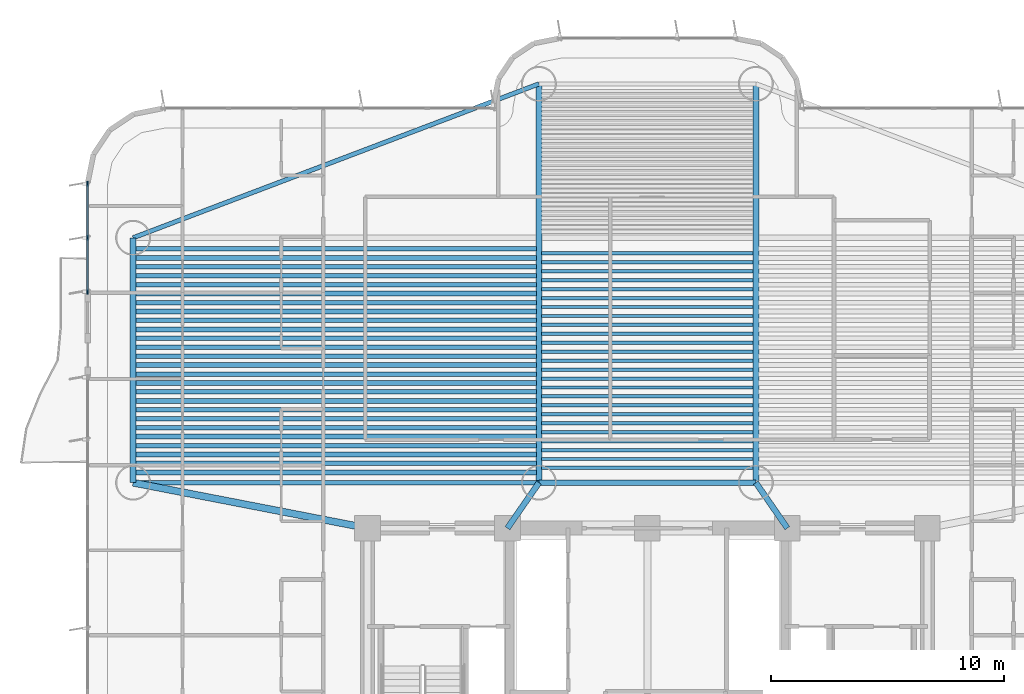
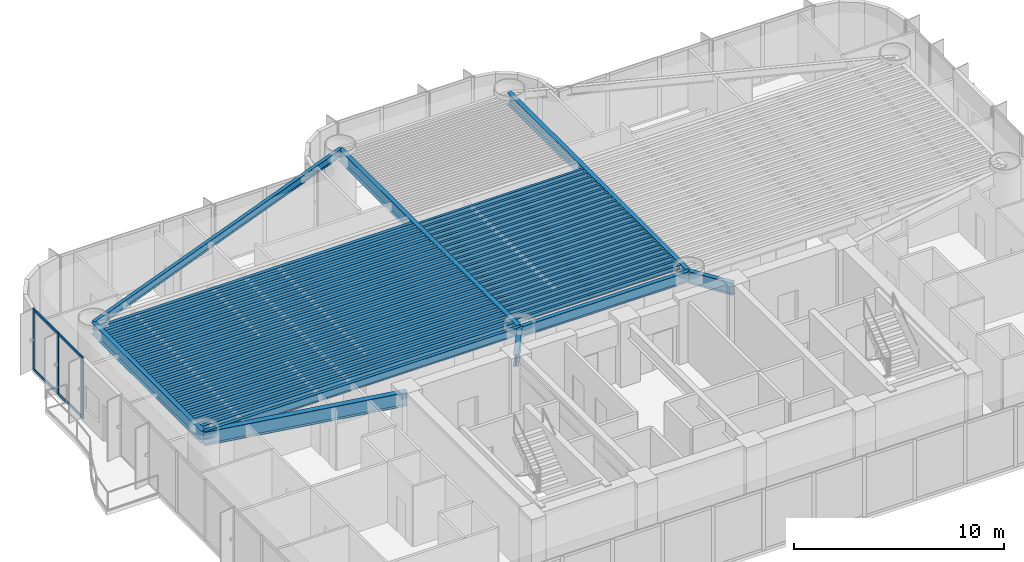
# One storey, part 3 of 19: 60 beams, 7 members, 1 element without a shape of its own.
"""IFC4 building model written with IfcOpenShell, lengths in metres."""

from ifc_helpers import new_model, si_unit, direction, frame, origin, origin_2d, place, context, subcontext, project, spatial, rectangle, i_section, extrude, source, transform, mapped, material, layer, layer_set, material_profile, profile_set, type_object, element, aggregate, save


model = new_model("IFC4")

# Units and contexts
model_context = context("Model", 3, precision=1e-05, world=origin(), true_north=direction((0.0, 1.0)))
body_context = subcontext(model_context, "Body", "Model", "MODEL_VIEW")
ifc_project = project(units=[si_unit("LENGTHUNIT", "METRE"), si_unit("AREAUNIT", "SQUARE_METRE"), si_unit("VOLUMEUNIT", "CUBIC_METRE"), si_unit("PLANEANGLEUNIT", "RADIAN"), si_unit("MASSUNIT", "GRAM", prefix="KILO")], contexts=[model_context])

# Site, building, storey
site_placement = place(None, origin())
site = spatial("IfcSite", under=ifc_project, at=site_placement, CompositionType="ELEMENT")
building_placement = place(site_placement, origin())
building = spatial("IfcBuilding", under=site, at=building_placement, Name="Brelvock Crest Care Tower", CompositionType="ELEMENT")
storey_placement = place(building_placement, frame((0.0, 0.0, 34.56005859375)))
storey = spatial("IfcBuildingStorey", under=building, at=storey_placement, Name="L08", CompositionType="ELEMENT", Elevation=34.56005859375)

# Beams
ifc_material_1 = material(Name="Steel Grade 350", Category="steel")
ifc_material_profile_1 = material_profile(ifc_material_1, i_section(OverallWidth=0.25, OverallDepth=0.699951171875, WebThickness=0.011962890625, FlangeThickness=0.02001953125, at=origin_2d()), Name="700WB150")
ifc_profile_set_1 = profile_set([ifc_material_profile_1], Name="Steel Grade 350")
beam_type_1 = type_object("IfcBeamType", Name="BM-G4", PredefinedType="BEAM", material=ifc_profile_set_1)
shared_shape_1 = source(origin(), body_context, "Body", "SweptSolid", [
    extrude(i_section(OverallWidth=0.25, OverallDepth=0.699951171875, WebThickness=0.011962890625, FlangeThickness=0.02001953125, at=origin_2d()), origin(), (0.0, 0.0, 1.0), 10.5),
])
beam_1_placement = place(storey_placement, frame((13.949951171875, 19.949951171875, 3.179931640625), z_axis=(0.0, 1.0, 0.0), x_axis=(-1.0, 0.0, 0.0)))
element("IfcBeam", 1, at=beam_1_placement, inside=storey, type_object=beam_type_1, Name="BM-TWR-L08-01", PredefinedType="BEAM", context=body_context, shape_type="MappedRepresentation", body=[
    mapped(shared_shape_1, transform((0.0, 0.0, 0.0), x_axis=(1.0, 0.0, 0.0), y_axis=(0.0, 1.0, 0.0), z_axis=(0.0, 0.0, 1.0), scale=1.0)),
])
ifc_material_profile_2 = material_profile(ifc_material_1, i_section(OverallWidth=0.19091796875, OverallDepth=0.4599609375, WebThickness=0.010009765625, FlangeThickness=0.01611328125, FilletRadius=0.011474609375, at=origin_2d()), Name="460UB82.1")
ifc_profile_set_2 = profile_set([ifc_material_profile_2], Name="Steel Grade 350")
beam_type_2 = type_object("IfcBeamType", Name="BM-SP2", PredefinedType="SPANDREL", material=ifc_profile_set_2)
shared_shape_2 = source(origin(), body_context, "Body", "SweptSolid", [
    extrude(i_section(OverallWidth=0.19091796875, OverallDepth=0.4599609375, WebThickness=0.010009765625, FlangeThickness=0.01611328125, FilletRadius=0.011474609375, at=origin_2d()), origin(), (0.0, 0.0, 1.0), 17.400146484375),
])
beam_2_placement = place(storey_placement, frame((13.949951171875, 19.949951171875, 3.300048828125), z_axis=(1.0, 0.0, 0.0), x_axis=(0.0, 1.0, 0.0)))
element("IfcBeam", 2, at=beam_2_placement, inside=storey, type_object=beam_type_2, Name="BM-TWR-L08-03", PredefinedType="SPANDREL", context=body_context, shape_type="MappedRepresentation", body=[
    mapped(shared_shape_2, transform((0.0, 0.0, 0.0), x_axis=(1.0, 0.0, 0.0), y_axis=(0.0, 1.0, 0.0), z_axis=(0.0, 0.0, 1.0), scale=1.0)),
])
ifc_material_profile_3 = material_profile(ifc_material_1, i_section(OverallWidth=0.22900390625, OverallDepth=0.612060546875, WebThickness=0.011962890625, FlangeThickness=0.01953125, FilletRadius=0.013916015625, at=origin_2d()), Name="610UB125")
ifc_profile_set_3 = profile_set([ifc_material_profile_3], Name="Steel Grade 350")
beam_type_3 = type_object("IfcBeamType", Name="BM-G1", PredefinedType="BEAM", material=ifc_profile_set_3)
shared_shape_3 = source(origin(), body_context, "Body", "SweptSolid", [
    extrude(i_section(OverallWidth=0.22900390625, OverallDepth=0.612060546875, WebThickness=0.011962890625, FlangeThickness=0.01953125, FilletRadius=0.013916015625, at=origin_2d()), origin(), (0.0, 0.0, 1.0), 9.2998046875),
])
beam_3_placement = place(storey_placement, frame((31.35009765625, 19.949951171875, 3.223876953125), z_axis=(1.0, 0.0, 0.0), x_axis=(0.0, 1.0, 0.0)))
element("IfcBeam", 3, at=beam_3_placement, inside=storey, type_object=beam_type_3, Name="BM-TWR-L08-05", PredefinedType="BEAM", context=body_context, shape_type="MappedRepresentation", body=[
    mapped(shared_shape_3, transform((0.0, 0.0, 0.0), x_axis=(1.0, 0.0, 0.0), y_axis=(0.0, 1.0, 0.0), z_axis=(0.0, 0.0, 1.0), scale=1.0)),
])
shared_shape_4 = source(origin(), body_context, "Body", "SweptSolid", [
    extrude(i_section(OverallWidth=0.19091796875, OverallDepth=0.4599609375, WebThickness=0.010009765625, FlangeThickness=0.01611328125, FilletRadius=0.011474609375, at=origin_2d()), origin(), (0.0, 0.0, 1.0), 18.60986328125),
])
beam_4_placement = place(storey_placement, frame((13.949951171875, 30.449951171875, 3.300048828125), z_axis=(0.934996776275, 0.3546562115, 0.0), x_axis=(-0.3546562115, 0.934996776275, 0.0)))
element("IfcBeam", 4, at=beam_4_placement, inside=storey, type_object=beam_type_2, Name="BM-TWR-L08-06", PredefinedType="SPANDREL", context=body_context, shape_type="MappedRepresentation", body=[
    mapped(shared_shape_4, transform((0.0, 0.0, 0.0), x_axis=(1.0, 0.0, 0.0), y_axis=(0.0, 1.0, 0.0), z_axis=(0.0, 0.0, 1.0), scale=1.0)),
])
shared_shape_5 = source(origin(), body_context, "Body", "SweptSolid", [
    extrude(i_section(OverallWidth=0.25, OverallDepth=0.699951171875, WebThickness=0.011962890625, FlangeThickness=0.02001953125, at=origin_2d()), origin(), (0.0, 0.0, 1.0), 17.10009765625),
])
for number, where, z_axis, x_axis, name in (
    (5, (31.35009765625, 19.949951171875, 3.179931640625), (0.0, 1.0, 0.0), (-1.0, 0.0, 0.0), "BM-TWR-L08-09"),
    (6, (40.64990234375, 19.949951171875, 3.179931640625), (0.0, 1.0, 0.0), (-1.0, 0.0, 0.0), "BM-TWR-L08-10"),
):
    element("IfcBeam", number, at=place(storey_placement, frame(where, z_axis=z_axis, x_axis=x_axis)), inside=storey, type_object=beam_type_1, Name=name, PredefinedType="BEAM", context=body_context, shape_type="MappedRepresentation", body=[
        mapped(shared_shape_5, transform((0.0, 0.0, 0.0), x_axis=(1.0, 0.0, 0.0), y_axis=(0.0, 1.0, 0.0), z_axis=(0.0, 0.0, 1.0), scale=1.0)),
    ])
shared_shape_6 = source(origin(), body_context, "Body", "SweptSolid", [
    extrude(i_section(OverallWidth=0.25, OverallDepth=0.699951171875, WebThickness=0.011962890625, FlangeThickness=0.02001953125, at=origin_2d()), origin(), (0.0, 0.0, 1.0), 2.371826171875),
])
for number, where, z_axis, x_axis, name in (
    (7, (30.0, 18.0, 3.179931640625), (0.569247447691, 0.8221662504, 0.0), (-0.8221662504, 0.569247447691, 0.0), "BM-THRW-L08"),
    (8, (42.0, 18.0, 3.179931640625), (-0.569247447691, 0.8221662504, 0.0), (-0.8221662504, -0.569247447691, 0.0), "BM-THRE-L08"),
):
    element("IfcBeam", number, at=place(storey_placement, frame(where, z_axis=z_axis, x_axis=x_axis)), inside=storey, type_object=beam_type_1, Name=name, PredefinedType="BEAM", context=body_context, shape_type="MappedRepresentation", body=[
        mapped(shared_shape_6, transform((0.0, 0.0, 0.0), x_axis=(1.0, 0.0, 0.0), y_axis=(0.0, 1.0, 0.0), z_axis=(0.0, 0.0, 1.0), scale=1.0)),
    ])
ifc_material_profile_4 = material_profile(ifc_material_1, i_section(OverallWidth=0.300048828125, OverallDepth=0.800048828125, WebThickness=0.013916015625, FlangeThickness=0.02197265625, at=origin_2d()), Name="800WB192")
ifc_profile_set_4 = profile_set([ifc_material_profile_4], Name="Steel Grade 350")
beam_type_4 = type_object("IfcBeamType", Name="BM-G5", PredefinedType="BEAM", material=ifc_profile_set_4)
shared_shape_7 = source(origin(), body_context, "Body", "SweptSolid", [
    extrude(i_section(OverallWidth=0.300048828125, OverallDepth=0.800048828125, WebThickness=0.013916015625, FlangeThickness=0.02197265625, at=origin_2d()), origin(), (0.0, 0.0, 1.0), 10.237548828125),
])
beam_5_placement = place(storey_placement, frame((24.0, 18.0, 3.1298828125), z_axis=(-0.981692632568, 0.190471979991, 0.0), x_axis=(-0.190471979991, -0.981692632568, 0.0)))
element("IfcBeam", 9, at=beam_5_placement, inside=storey, type_object=beam_type_4, Name="BM-THRO-W-L08", PredefinedType="BEAM", context=body_context, shape_type="MappedRepresentation", body=[
    mapped(shared_shape_7, transform((0.0, 0.0, 0.0), x_axis=(1.0, 0.0, 0.0), y_axis=(0.0, 1.0, 0.0), z_axis=(0.0, 0.0, 1.0), scale=1.0)),
])
ifc_material_profile_5 = material_profile(ifc_material_1, i_section(OverallWidth=0.208984375, OverallDepth=0.532958984375, WebThickness=0.01025390625, FlangeThickness=0.015625, FilletRadius=0.013916015625, at=origin_2d()), Name="530UB92.4")
ifc_profile_set_5 = profile_set([ifc_material_profile_5], Name="Steel Grade 350")
beam_type_5 = type_object("IfcBeamType", Name="BM-G2", PredefinedType="BEAM", material=ifc_profile_set_5)
shared_shape_8 = source(origin(), body_context, "Body", "SweptSolid", [
    extrude(i_section(OverallWidth=0.208984375, OverallDepth=0.532958984375, WebThickness=0.01025390625, FlangeThickness=0.015625, FilletRadius=0.013916015625, at=origin_2d()), origin(), (0.0, 0.0, 1.0), 17.170166015625),
])
for number, where, z_axis, x_axis, name in (
    (10, (14.06494140625, 20.39111328125, 3.263427734375), (1.0, 0.0, 0.0), (0.0, 1.0, 0.0), "BM-JW-L08-1"),
    (11, (14.06494140625, 21.157470703125, 3.263427734375), (1.0, 0.0, 0.0), (0.0, 1.0, 0.0), "BM-JW-L08-3"),
    (12, (14.06494140625, 21.924072265625, 3.263427734375), (1.0, 0.0, 0.0), (0.0, 1.0, 0.0), "BM-JW-L08-5"),
    (13, (14.06494140625, 22.6904296875, 3.263427734375), (1.0, 0.0, 0.0), (0.0, 1.0, 0.0), "BM-JW-L08-7"),
    (14, (14.06494140625, 23.45703125, 3.263427734375), (1.0, 0.0, 0.0), (0.0, 1.0, 0.0), "BM-JW-L08-9"),
    (15, (14.06494140625, 24.223388671875, 3.263427734375), (1.0, 0.0, 0.0), (0.0, 1.0, 0.0), "BM-JW-L08-11"),
    (16, (14.06494140625, 24.989990234375, 3.263427734375), (1.0, 0.0, 0.0), (0.0, 1.0, 0.0), "BM-JW-L08-13"),
    (17, (14.06494140625, 25.756591796875, 3.263427734375), (1.0, 0.0, 0.0), (0.0, 1.0, 0.0), "BM-JW-L08-15"),
    (18, (14.06494140625, 26.52294921875, 3.263427734375), (1.0, 0.0, 0.0), (0.0, 1.0, 0.0), "BM-JW-L08-17"),
    (19, (14.06494140625, 27.28955078125, 3.263427734375), (1.0, 0.0, 0.0), (0.0, 1.0, 0.0), "BM-JW-L08-19"),
    (20, (14.06494140625, 28.055908203125, 3.263427734375), (1.0, 0.0, 0.0), (0.0, 1.0, 0.0), "BM-JW-L08-21"),
    (21, (14.06494140625, 28.822509765625, 3.263427734375), (1.0, 0.0, 0.0), (0.0, 1.0, 0.0), "BM-JW-L08-23"),
    (22, (14.06494140625, 29.589111328125, 3.263427734375), (1.0, 0.0, 0.0), (0.0, 1.0, 0.0), "BM-JW-L08-25"),
):
    element("IfcBeam", number, at=place(storey_placement, frame(where, z_axis=z_axis, x_axis=x_axis)), inside=storey, type_object=beam_type_5, Name=name, PredefinedType="BEAM", context=body_context, shape_type="MappedRepresentation", body=[
        mapped(shared_shape_8, transform((0.0, 0.0, 0.0), x_axis=(1.0, 0.0, 0.0), y_axis=(0.0, 1.0, 0.0), z_axis=(0.0, 0.0, 1.0), scale=1.0)),
    ])
ifc_material_profile_6 = material_profile(ifc_material_1, i_section(OverallWidth=0.14599609375, OverallDepth=0.256103515625, WebThickness=0.00634765625, FlangeThickness=0.010986328125, FilletRadius=0.0087890625, at=origin_2d()), Name="250UB37.3")
ifc_profile_set_6 = profile_set([ifc_material_profile_6], Name="Steel Grade 350")
beam_type_6 = type_object("IfcBeamType", Name="BM-J3", PredefinedType="JOIST", material=ifc_profile_set_6)
shared_shape_9 = source(origin(), body_context, "Body", "SweptSolid", [
    extrude(i_section(OverallWidth=0.14599609375, OverallDepth=0.256103515625, WebThickness=0.00634765625, FlangeThickness=0.010986328125, FilletRadius=0.0087890625, at=origin_2d()), origin(), (0.0, 0.0, 1.0), 9.06982421875),
])
for number, where, z_axis, x_axis, name in (
    (23, (31.465087890625, 20.58251953125, 3.40185546875), (1.0, 0.0, 0.0), (0.0, 1.0, 0.0), "BM-JH-L08-1"),
    (24, (31.465087890625, 20.9658203125, 3.40185546875), (1.0, 0.0, 0.0), (0.0, 1.0, 0.0), "BM-JH-L08-2"),
    (25, (31.465087890625, 21.34912109375, 3.40185546875), (1.0, 0.0, 0.0), (0.0, 1.0, 0.0), "BM-JH-L08-3"),
    (26, (31.465087890625, 21.732421875, 3.40185546875), (1.0, 0.0, 0.0), (0.0, 1.0, 0.0), "BM-JH-L08-4"),
    (27, (31.465087890625, 22.115478515625, 3.40185546875), (1.0, 0.0, 0.0), (0.0, 1.0, 0.0), "BM-JH-L08-5"),
    (28, (31.465087890625, 22.498779296875, 3.40185546875), (1.0, 0.0, 0.0), (0.0, 1.0, 0.0), "BM-JH-L08-6"),
    (29, (31.465087890625, 22.882080078125, 3.40185546875), (1.0, 0.0, 0.0), (0.0, 1.0, 0.0), "BM-JH-L08-7"),
    (30, (31.465087890625, 23.265380859375, 3.40185546875), (1.0, 0.0, 0.0), (0.0, 1.0, 0.0), "BM-JH-L08-8"),
    (31, (31.465087890625, 23.648681640625, 3.40185546875), (1.0, 0.0, 0.0), (0.0, 1.0, 0.0), "BM-JH-L08-9"),
    (32, (31.465087890625, 24.03173828125, 3.40185546875), (1.0, 0.0, 0.0), (0.0, 1.0, 0.0), "BM-JH-L08-10"),
    (33, (31.465087890625, 24.4150390625, 3.40185546875), (1.0, 0.0, 0.0), (0.0, 1.0, 0.0), "BM-JH-L08-11"),
    (34, (31.465087890625, 24.79833984375, 3.40185546875), (1.0, 0.0, 0.0), (0.0, 1.0, 0.0), "BM-JH-L08-12"),
    (35, (31.465087890625, 25.181640625, 3.40185546875), (1.0, 0.0, 0.0), (0.0, 1.0, 0.0), "BM-JH-L08-13"),
    (36, (31.465087890625, 25.564697265625, 3.40185546875), (1.0, 0.0, 0.0), (0.0, 1.0, 0.0), "BM-JH-L08-14"),
    (37, (31.465087890625, 25.947998046875, 3.40185546875), (1.0, 0.0, 0.0), (0.0, 1.0, 0.0), "BM-JH-L08-15"),
    (38, (31.465087890625, 26.331298828125, 3.40185546875), (1.0, 0.0, 0.0), (0.0, 1.0, 0.0), "BM-JH-L08-16"),
    (39, (31.465087890625, 26.714599609375, 3.40185546875), (1.0, 0.0, 0.0), (0.0, 1.0, 0.0), "BM-JH-L08-17"),
    (40, (31.465087890625, 27.097900390625, 3.40185546875), (1.0, 0.0, 0.0), (0.0, 1.0, 0.0), "BM-JH-L08-18"),
    (41, (31.465087890625, 27.481201171875, 3.40185546875), (1.0, 0.0, 0.0), (0.0, 1.0, 0.0), "BM-JH-L08-19"),
    (42, (31.465087890625, 27.864501953125, 3.40185546875), (1.0, 0.0, 0.0), (0.0, 1.0, 0.0), "BM-JH-L08-20"),
    (43, (31.465087890625, 28.24755859375, 3.40185546875), (1.0, 0.0, 0.0), (0.0, 1.0, 0.0), "BM-JH-L08-21"),
    (44, (31.465087890625, 28.630859375, 3.40185546875), (1.0, 0.0, 0.0), (0.0, 1.0, 0.0), "BM-JH-L08-22"),
    (45, (31.465087890625, 29.01416015625, 3.40185546875), (1.0, 0.0, 0.0), (0.0, 1.0, 0.0), "BM-JH-L08-23"),
    (46, (31.465087890625, 29.397216796875, 3.40185546875), (1.0, 0.0, 0.0), (0.0, 1.0, 0.0), "BM-JH-L08-24"),
    (47, (31.465087890625, 29.780517578125, 3.40185546875), (1.0, 0.0, 0.0), (0.0, 1.0, 0.0), "BM-JH-L08-25"),
):
    element("IfcBeam", number, at=place(storey_placement, frame(where, z_axis=z_axis, x_axis=x_axis)), inside=storey, type_object=beam_type_6, Name=name, PredefinedType="JOIST", context=body_context, shape_type="MappedRepresentation", body=[
        mapped(shared_shape_9, transform((0.0, 0.0, 0.0), x_axis=(1.0, 0.0, 0.0), y_axis=(0.0, 1.0, 0.0), z_axis=(0.0, 0.0, 1.0), scale=1.0)),
    ])
ifc_material_profile_7 = material_profile(ifc_material_1, i_section(OverallWidth=0.19091796875, OverallDepth=0.4599609375, WebThickness=0.010009765625, FlangeThickness=0.01611328125, FilletRadius=0.011474609375, at=origin_2d()), Name="460UB82.1")
ifc_profile_set_7 = profile_set([ifc_material_profile_7], Name="Steel Grade 350")
beam_type_7 = type_object("IfcBeamType", Name="BM-G3", PredefinedType="BEAM", material=ifc_profile_set_7)
shared_shape_10 = source(origin(), body_context, "Body", "SweptSolid", [
    extrude(i_section(OverallWidth=0.19091796875, OverallDepth=0.4599609375, WebThickness=0.010009765625, FlangeThickness=0.01611328125, FilletRadius=0.011474609375, at=origin_2d()), origin(), (0.0, 0.0, 1.0), 17.170166015625),
])
for number, where, z_axis, x_axis, name in (
    (48, (14.06494140625, 20.774169921875, 3.300048828125), (1.0, 0.0, 0.0), (0.0, 1.0, 0.0), "BM-JW-L08-2"),
    (49, (14.06494140625, 21.540771484375, 3.300048828125), (1.0, 0.0, 0.0), (0.0, 1.0, 0.0), "BM-JW-L08-4"),
    (50, (14.06494140625, 22.30712890625, 3.300048828125), (1.0, 0.0, 0.0), (0.0, 1.0, 0.0), "BM-JW-L08-6"),
    (51, (14.06494140625, 23.07373046875, 3.300048828125), (1.0, 0.0, 0.0), (0.0, 1.0, 0.0), "BM-JW-L08-8"),
    (52, (14.06494140625, 23.840087890625, 3.300048828125), (1.0, 0.0, 0.0), (0.0, 1.0, 0.0), "BM-JW-L08-10"),
    (53, (14.06494140625, 24.606689453125, 3.300048828125), (1.0, 0.0, 0.0), (0.0, 1.0, 0.0), "BM-JW-L08-12"),
    (54, (14.06494140625, 25.373291015625, 3.300048828125), (1.0, 0.0, 0.0), (0.0, 1.0, 0.0), "BM-JW-L08-14"),
    (55, (14.06494140625, 26.1396484375, 3.300048828125), (1.0, 0.0, 0.0), (0.0, 1.0, 0.0), "BM-JW-L08-16"),
    (56, (14.06494140625, 26.90625, 3.300048828125), (1.0, 0.0, 0.0), (0.0, 1.0, 0.0), "BM-JW-L08-18"),
    (57, (14.06494140625, 27.6728515625, 3.300048828125), (1.0, 0.0, 0.0), (0.0, 1.0, 0.0), "BM-JW-L08-20"),
    (58, (14.06494140625, 28.439208984375, 3.300048828125), (1.0, 0.0, 0.0), (0.0, 1.0, 0.0), "BM-JW-L08-22"),
    (59, (14.06494140625, 29.205810546875, 3.300048828125), (1.0, 0.0, 0.0), (0.0, 1.0, 0.0), "BM-JW-L08-24"),
    (60, (14.06494140625, 29.97216796875, 3.300048828125), (1.0, 0.0, 0.0), (0.0, 1.0, 0.0), "BM-JW-L08-26"),
):
    element("IfcBeam", number, at=place(storey_placement, frame(where, z_axis=z_axis, x_axis=x_axis)), inside=storey, type_object=beam_type_7, Name=name, PredefinedType="BEAM", context=body_context, shape_type="MappedRepresentation", body=[
        mapped(shared_shape_10, transform((0.0, 0.0, 0.0), x_axis=(1.0, 0.0, 0.0), y_axis=(0.0, 1.0, 0.0), z_axis=(0.0, 0.0, 1.0), scale=1.0)),
    ])

# Curtain wall, members
ifc_material_2 = material(Name="Dark Glass Double Glazed Low-E", Category="glass")
ifc_layer = layer(ifc_material_2, 0.195068359375, Name="CWS-2")
ifc_layer_set = layer_set([ifc_layer], Name="Dark Glass Double Glazed Low-E")
curtain_wall_type = type_object("IfcCurtainWallType", Name="CWS-2", PredefinedType="NOTDEFINED", material=ifc_layer_set)
curtain_wall_placement = place(storey_placement, origin())
curtain_wall = element("IfcCurtainWall", 61, at=curtain_wall_placement, inside=storey, type_object=curtain_wall_type, Name="L08 Curtain Wall E13B", PredefinedType="NOTDEFINED")
ifc_material_3 = material(Name="Aluminium 6063-T6", Category="aluminium")
ifc_material_profile_8 = material_profile(ifc_material_3, rectangle(XDim=0.06494140625, YDim=0.199951171875, at=origin_2d()), Name="ALU65x200")
ifc_profile_set_8 = profile_set([ifc_material_profile_8], Name="Aluminium 6063-T6")
member_type_1 = type_object("IfcMemberType", Name="CWM-1", PredefinedType="MULLION", material=ifc_profile_set_8)
shared_shape_11 = source(origin(), body_context, "Body", "SweptSolid", [
    extrude(rectangle(XDim=0.06494140625, YDim=0.199951171875, at=origin_2d()), origin(), (0.0, 0.0, 1.0), 3.530029296875),
])
member_1_placement = place(storey_placement, frame((12.0, 28.132568359375, 0.0), z_axis=(0.0, 0.0, 1.0), x_axis=(-1.0, 0.0, 0.0)))
member_1 = element("IfcMember", 62, at=member_1_placement, type_object=member_type_1, Name="CW-2 mullion 1", PredefinedType="MULLION", context=body_context, shape_type="MappedRepresentation", body=[
    mapped(shared_shape_11, transform((0.0, 0.0, 0.0), x_axis=(1.0, 0.0, 0.0), y_axis=(0.0, 1.0, 0.0), z_axis=(0.0, 0.0, 1.0), scale=1.0)),
])
member_2_placement = place(storey_placement, frame((12.0, 30.449951171875, 0.0), z_axis=(0.0, 0.0, 1.0), x_axis=(-1.0, 0.0, 0.0)))
member_2 = element("IfcMember", 63, at=member_2_placement, type_object=member_type_1, Name="CW-2 mullion 2", PredefinedType="MULLION", context=body_context, shape_type="MappedRepresentation", body=[
    mapped(shared_shape_11, transform((0.0, 0.0, 0.0), x_axis=(1.0, 0.0, 0.0), y_axis=(0.0, 1.0, 0.0), z_axis=(0.0, 0.0, 1.0), scale=1.0)),
])
member_3_placement = place(storey_placement, frame((12.0, 32.767578125, 0.0), z_axis=(0.0, 0.0, 1.0), x_axis=(-1.0, 0.0, 0.0)))
member_3 = element("IfcMember", 64, at=member_3_placement, type_object=member_type_1, Name="CW-2 mullion 3", PredefinedType="MULLION", context=body_context, shape_type="MappedRepresentation", body=[
    mapped(shared_shape_11, transform((0.0, 0.0, 0.0), x_axis=(1.0, 0.0, 0.0), y_axis=(0.0, 1.0, 0.0), z_axis=(0.0, 0.0, 1.0), scale=1.0)),
])
ifc_material_profile_9 = material_profile(ifc_material_3, rectangle(XDim=0.06494140625, YDim=0.14990234375, at=origin_2d()), Name="ALU65x150")
ifc_profile_set_9 = profile_set([ifc_material_profile_9], Name="Aluminium 6063-T6")
member_type_2 = type_object("IfcMemberType", Name="CWT-1", PredefinedType="USERDEFINED", material=ifc_profile_set_9)
shared_shape_12 = source(origin(), body_context, "Body", "SweptSolid", [
    extrude(rectangle(XDim=0.06494140625, YDim=0.14990234375, at=origin_2d()), origin(), (0.0, 0.0, 1.0), 2.252685546875),
])
member_4_placement = place(storey_placement, frame((12.0, 30.482421875, 0.032470703125), z_axis=(0.0, 1.0, 0.0), x_axis=(-1.0, 0.0, 0.0)))
member_4 = element("IfcMember", 65, at=member_4_placement, type_object=member_type_2, Name="CW-2 transom 2.1", ObjectType="TRANSOM", PredefinedType="USERDEFINED", context=body_context, shape_type="MappedRepresentation", body=[
    mapped(shared_shape_12, transform((0.0, 0.0, 0.0), x_axis=(1.0, 0.0, 0.0), y_axis=(0.0, 1.0, 0.0), z_axis=(0.0, 0.0, 1.0), scale=1.0)),
])
member_5_placement = place(storey_placement, frame((12.0, 30.482421875, 3.49755859375), z_axis=(0.0, 1.0, 0.0), x_axis=(-1.0, 0.0, 0.0)))
member_5 = element("IfcMember", 66, at=member_5_placement, type_object=member_type_2, Name="CW-2 transom 2.2", ObjectType="TRANSOM", PredefinedType="USERDEFINED", context=body_context, shape_type="MappedRepresentation", body=[
    mapped(shared_shape_12, transform((0.0, 0.0, 0.0), x_axis=(1.0, 0.0, 0.0), y_axis=(0.0, 1.0, 0.0), z_axis=(0.0, 0.0, 1.0), scale=1.0)),
])
shared_shape_13 = source(origin(), body_context, "Body", "SweptSolid", [
    extrude(rectangle(XDim=0.06494140625, YDim=0.14990234375, at=origin_2d()), origin(), (0.0, 0.0, 1.0), 2.25244140625),
])
member_6_placement = place(storey_placement, frame((12.0, 28.1650390625, 0.032470703125), z_axis=(0.0, 1.0, 0.0), x_axis=(-1.0, 0.0, 0.0)))
member_6 = element("IfcMember", 67, at=member_6_placement, type_object=member_type_2, Name="CW-2 transom 1.1", ObjectType="TRANSOM", PredefinedType="USERDEFINED", context=body_context, shape_type="MappedRepresentation", body=[
    mapped(shared_shape_13, transform((0.0, 0.0, 0.0), x_axis=(1.0, 0.0, 0.0), y_axis=(0.0, 1.0, 0.0), z_axis=(0.0, 0.0, 1.0), scale=1.0)),
])
member_7_placement = place(storey_placement, frame((12.0, 28.1650390625, 3.49755859375), z_axis=(0.0, 1.0, 0.0), x_axis=(-1.0, 0.0, 0.0)))
member_7 = element("IfcMember", 68, at=member_7_placement, type_object=member_type_2, Name="CW-2 transom 1.2", ObjectType="TRANSOM", PredefinedType="USERDEFINED", context=body_context, shape_type="MappedRepresentation", body=[
    mapped(shared_shape_13, transform((0.0, 0.0, 0.0), x_axis=(1.0, 0.0, 0.0), y_axis=(0.0, 1.0, 0.0), z_axis=(0.0, 0.0, 1.0), scale=1.0)),
])
aggregate(curtain_wall, [member_1, member_2, member_3, member_6, member_7, member_4, member_5])

save(model, "model.ifc")
